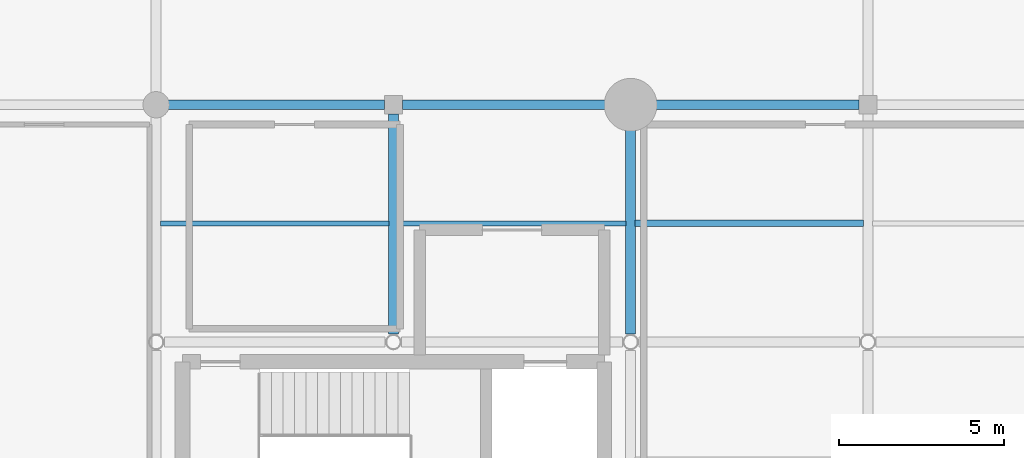
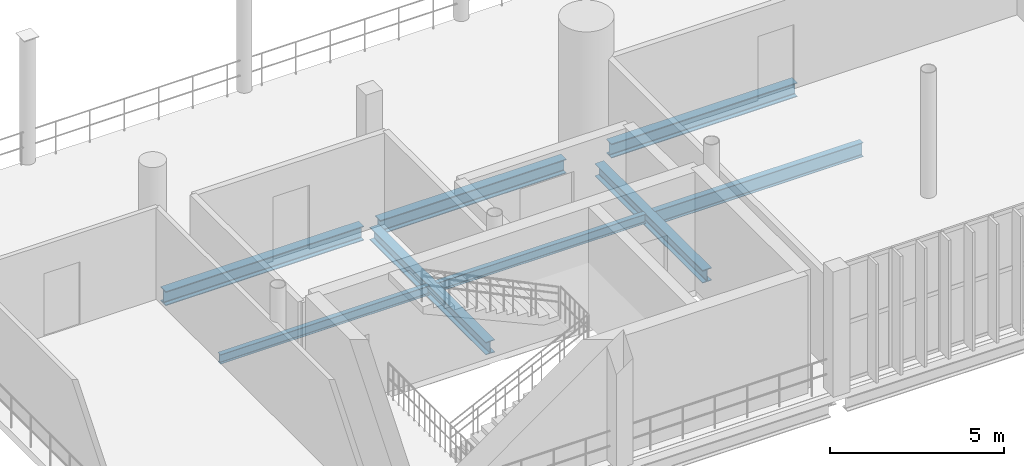
# One storey, part 18 of 81: 8 beams.
"""IFC4 building model written with IfcOpenShell, lengths in metres."""

import ifcopenshell
import ifcopenshell.guid

model = None  # the IFC model being written
_history = None  # IfcOwnerHistory: only IFC2X3 demands one
_inside = {}  # id of a spatial element -> (the spatial element, [elements in it])
_under = {}  # id of a project, library or spatial element -> (it, [spatial elements below it])
_declared = {}  # id of a project -> (the project, [libraries it declares])
_typed = {}  # id of a type object -> (the type object, [elements of that type])
_made_of = {}  # id of a material, layer set ... -> (it, [elements and type objects made of it])


def new_model(schema):
    """Start an empty IFC model of exactly this schema.

    Asked for "IFC4X3", IfcOpenShell would pick the latest addendum, in which some entities
    have other attributes; the version numbers below select the first issue.
    IFC2X3 requires an IfcOwnerHistory on every rooted entity: one is made here for all.
    """
    global model, _history
    if schema == "IFC4X3":
        model = ifcopenshell.file(schema_version=(4, 3, 0, 0))
    else:
        model = ifcopenshell.file(schema=schema)
    _inside.clear()
    _under.clear()
    _declared.clear()
    _typed.clear()
    _made_of.clear()
    _history = None
    if model.schema == "IFC2X3":
        org = make("IfcOrganization", Name="unknown")
        user = make(
            "IfcPersonAndOrganization",
            ThePerson=make("IfcPerson", FamilyName="unknown"),
            TheOrganization=org,
        )
        app = make(
            "IfcApplication",
            ApplicationDeveloper=org,
            Version="unknown",
            ApplicationFullName="unknown",
            ApplicationIdentifier="unknown",
        )
        _history = make(
            "IfcOwnerHistory",
            OwningUser=user,
            OwningApplication=app,
            ChangeAction="ADDED",
            CreationDate=0,
        )
    return model


def make(cls, **values):
    """One entity of the class cls with the attributes given. An attribute that is None is left unset."""
    return model.create_entity(
        cls, **{name: value for name, value in values.items() if value is not None}
    )


def rooted(cls, **values):
    """An entity with a GlobalId (a new one), such as an element, a storey or a relation."""
    return make(cls, GlobalId=ifcopenshell.guid.new(), OwnerHistory=_history, **values)


def si_unit(unit_type, name, prefix=None):
    """IfcSIUnit, for example si_unit("LENGTHUNIT", "METRE", prefix="MILLI")."""
    return make("IfcSIUnit", UnitType=unit_type, Prefix=prefix, Name=name)


def assignment(units):
    """IfcUnitAssignment: the units of a project."""
    return None if units is None else make("IfcUnitAssignment", Units=units)


def point(xyz):
    """IfcCartesianPoint."""
    return None if xyz is None else make("IfcCartesianPoint", Coordinates=xyz)


def direction(xyz):
    """IfcDirection."""
    return None if xyz is None else make("IfcDirection", DirectionRatios=xyz)


def frame(location, z_axis=None, x_axis=None):
    """IfcAxis2Placement3D, a coordinate frame: its origin and axes. An axis left out is left unset."""
    return make(
        "IfcAxis2Placement3D",
        Location=point(location),
        Axis=direction(z_axis),
        RefDirection=direction(x_axis),
    )


def frame_2d(location, x_axis=None):
    """IfcAxis2Placement2D, a coordinate frame in the plane: its origin and x axis."""
    return make(
        "IfcAxis2Placement2D", Location=point(location), RefDirection=direction(x_axis)
    )


def origin():
    """The frame at (0, 0, 0) with its axes left unset."""
    return frame((0.0, 0.0, 0.0))


def origin_2d():
    """The frame at (0, 0) in the plane with its x axis left unset."""
    return frame_2d((0.0, 0.0))


def place(relative_to, where):
    """IfcLocalPlacement: puts the frame where relative to a parent placement (None: the world)."""
    return make(
        "IfcLocalPlacement", PlacementRelTo=relative_to, RelativePlacement=where
    )


def context(
    kind, dimensions, precision=None, world=None, true_north=None, identifier=None
):
    """IfcGeometricRepresentationContext, for example the 3D "Model" context."""
    return make(
        "IfcGeometricRepresentationContext",
        ContextIdentifier=identifier,
        ContextType=kind,
        CoordinateSpaceDimension=dimensions,
        Precision=precision,
        WorldCoordinateSystem=world,
        TrueNorth=true_north,
    )


def subcontext(parent, identifier, kind, view, scale=None):
    """IfcGeometricRepresentationSubContext, for example "Body" below "Model"."""
    return make(
        "IfcGeometricRepresentationSubContext",
        ContextIdentifier=identifier,
        ContextType=kind,
        ParentContext=parent,
        TargetScale=scale,
        TargetView=view,
    )


def project(units=None, contexts=None):
    """IfcProject with its units and contexts."""
    return rooted(
        "IfcProject",
        Name="project",
        RepresentationContexts=contexts,
        UnitsInContext=assignment(units),
    )


def spatial(cls, under=None, at=None, **own):
    """A site, building, storey or space (cls), placed at a placement, below another one or the project."""
    s = rooted(cls, ObjectPlacement=at, **own)
    if under is not None:
        _under.setdefault(under.id(), (under, []))[1].append(s)
    return s


def profile(cls, at=None, kind="AREA", **sizes):
    """A parametric profile (cls). Its sizes go by their IFC names, for example OverallWidth=200.0."""
    return make(cls, ProfileType=kind, Position=at, **sizes)


def i_section(**sizes):
    """IfcIShapeProfileDef."""
    return profile("IfcIShapeProfileDef", **sizes)


def extrude(swept, where, along, depth):
    """IfcExtrudedAreaSolid: the profile swept, set in the frame where, extruded along a direction by depth."""
    return make(
        "IfcExtrudedAreaSolid",
        SweptArea=swept,
        Position=where,
        ExtrudedDirection=direction(along),
        Depth=depth,
    )


def shape(context_of_items, identifier, shape_type, items):
    """IfcShapeRepresentation: the items that make up one representation, for example the "Body"."""
    return make(
        "IfcShapeRepresentation",
        ContextOfItems=context_of_items,
        RepresentationIdentifier=identifier,
        RepresentationType=shape_type,
        Items=items,
    )


def material(Name=None, Category=None):
    """IfcMaterial."""
    return make("IfcMaterial", Name=Name, Category=Category)


def material_profile(
    of_material, cross_section, Name=None, Category=None, Priority=None
):
    """IfcMaterialProfile: a cross section and its material."""
    return make(
        "IfcMaterialProfile",
        Name=Name,
        Material=of_material,
        Profile=cross_section,
        Priority=Priority,
        Category=Category,
    )


def profile_set(profiles, Name=None, composite=None):
    """IfcMaterialProfileSet."""
    return make(
        "IfcMaterialProfileSet",
        Name=Name,
        MaterialProfiles=profiles,
        CompositeProfile=composite,
    )


def made_of(thing, what):
    """Note that an element or type object is made of a material, layer set ...; save() writes the relation."""
    if what is not None:
        _made_of.setdefault(what.id(), (what, []))[1].append(thing)
    return thing


def type_object(cls, material=None, **own):
    """A type object (cls), such as IfcWallType, which elements share."""
    return made_of(rooted(cls, **own), material)


def element(
    cls,
    number,
    at=None,
    inside=None,
    cuts=None,
    type_object=None,
    material=None,
    context=None,
    identifier="Body",
    shape_type=None,
    held_by="IfcProductDefinitionShape",
    body=None,
    shapes=None,
    **own,
):
    """One element of the class cls, such as IfcWall. Its Tag is "e" and its number.

    at: its placement. inside: the storey or other place that contains it. cuts: it is an
    opening in that element (IfcRelVoidsElement). A single representation is given by context,
    identifier, shape_type and body (its items); several are given by shapes. held_by: the class
    of the entity that holds the representations. save() writes the other relations.
    """
    e = rooted(cls, Tag="e%d" % number, ObjectPlacement=at, **own)
    if body is not None:
        shapes = [shape(context, identifier, shape_type, body)]
    if shapes is not None:
        e.Representation = make(held_by, Representations=shapes)
    if inside is not None:
        _inside.setdefault(inside.id(), (inside, []))[1].append(e)
    if cuts is not None:
        rooted(
            "IfcRelVoidsElement", RelatingBuildingElement=cuts, RelatedOpeningElement=e
        )
    if type_object is not None:
        _typed.setdefault(type_object.id(), (type_object, []))[1].append(e)
    return made_of(e, material)


def aggregate(whole, parts):
    """IfcRelAggregates: a whole, such as a stair, and the parts it consists of."""
    return rooted("IfcRelAggregates", RelatingObject=whole, RelatedObjects=parts)


def save(model, path):
    """Write the relations noted so far, then the file.

    IfcRelAggregates (storeys below a building ...), IfcRelContainedInSpatialStructure (elements
    in a storey), IfcRelDefinesByType, IfcRelAssociatesMaterial and IfcRelDeclares: one each for
    every whole, place, type object, material and project.
    """
    for whole, parts in _under.values():
        aggregate(whole, parts)
    for where, things in _inside.values():
        rooted(
            "IfcRelContainedInSpatialStructure",
            RelatedElements=things,
            RelatingStructure=where,
        )
    for kind, things in _typed.values():
        rooted("IfcRelDefinesByType", RelatedObjects=things, RelatingType=kind)
    for what, things in _made_of.values():
        rooted("IfcRelAssociatesMaterial", RelatedObjects=things, RelatingMaterial=what)
    for by, libraries in _declared.values():
        rooted("IfcRelDeclares", RelatingContext=by, RelatedDefinitions=libraries)
    model.write(path)


model = new_model("IFC4")

# Units and contexts
model_context = context("Model", 3, precision=1e-05, world=origin(), true_north=direction((0.0, 1.0)))
body_context = subcontext(model_context, "Body", "Model", "MODEL_VIEW")
ifc_project = project(units=[si_unit("LENGTHUNIT", "METRE"), si_unit("AREAUNIT", "SQUARE_METRE"), si_unit("VOLUMEUNIT", "CUBIC_METRE"), si_unit("PLANEANGLEUNIT", "RADIAN"), si_unit("MASSUNIT", "GRAM", prefix="KILO")], contexts=[model_context])

# Site, building, storey
site_placement = place(None, origin())
site = spatial("IfcSite", under=ifc_project, at=site_placement, CompositionType="ELEMENT")
building_placement = place(site_placement, origin())
building = spatial("IfcBuilding", under=site, at=building_placement, Name="Qandorah Velis Arena", CompositionType="ELEMENT")
storey_placement = place(building_placement, frame((0.0, 0.0, 18.60009765625)))
storey = spatial("IfcBuildingStorey", under=building, at=storey_placement, Name="L04", CompositionType="ELEMENT", Elevation=18.60009765625)

# Beams
ifc_material = material(Name="Steel S355", Category="steel")
ifc_material_profile_1 = material_profile(ifc_material, i_section(OverallWidth=0.300048828125, OverallDepth=0.449951171875, WebThickness=0.013916015625, FlangeThickness=0.02587890625, FilletRadius=0.027099609375, at=origin_2d()), Name="HEB 450")
ifc_profile_set_1 = profile_set([ifc_material_profile_1], Name="Steel S355")
beam_type_1 = type_object("IfcBeamType", Name="STR-BM-HEB450", PredefinedType="BEAM", material=ifc_profile_set_1)
beam_1_placement = place(storey_placement, frame((36.0, 7.449951171875, -0.4951171875), z_axis=(0.0, 1.0, 0.0), x_axis=(-1.0, 0.0, 0.0)))
element("IfcBeam", 1, at=beam_1_placement, inside=storey, type_object=beam_type_1, Name="Primary floor girder L04 Y-202", PredefinedType="BEAM", context=body_context, shape_type="SweptSolid", body=[
    extrude(i_section(OverallWidth=0.300048828125, OverallDepth=0.449951171875, WebThickness=0.013916015625, FlangeThickness=0.02587890625, FilletRadius=0.027099609375, at=origin_2d()), origin(), (0.0, 0.0, 1.0), 6.675048828125),
])
beam_2_placement = place(storey_placement, frame((43.199951171875, 7.449951171875, -0.4951171875), z_axis=(0.0, 1.0, 0.0), x_axis=(-1.0, 0.0, 0.0)))
element("IfcBeam", 2, at=beam_2_placement, inside=storey, type_object=beam_type_1, Name="Primary floor girder L04 Y-205", PredefinedType="BEAM", context=body_context, shape_type="SweptSolid", body=[
    extrude(i_section(OverallWidth=0.300048828125, OverallDepth=0.449951171875, WebThickness=0.013916015625, FlangeThickness=0.02587890625, FilletRadius=0.027099609375, at=origin_2d()), origin(), (0.0, 0.0, 1.0), 6.199951171875),
])
ifc_material_profile_2 = material_profile(ifc_material, i_section(OverallWidth=0.300048828125, OverallDepth=0.5, WebThickness=0.014404296875, FlangeThickness=0.028076171875, FilletRadius=0.027099609375, at=origin_2d()), Name="HEB 500")
ifc_profile_set_2 = profile_set([ifc_material_profile_2], Name="Steel S355")
beam_type_2 = type_object("IfcBeamType", Name="STR-BM-HEB500", PredefinedType="BEAM", material=ifc_profile_set_2)
beam_3_placement = place(storey_placement, frame((29.14990234375, 14.39990234375, -0.52001953125), z_axis=(1.0, 0.0, 0.0), x_axis=(0.0, 1.0, 0.0)))
element("IfcBeam", 3, at=beam_3_placement, inside=storey, type_object=beam_type_2, Name="Primary floor girder L04 X-026", PredefinedType="BEAM", context=body_context, shape_type="SweptSolid", body=[
    extrude(i_section(OverallWidth=0.300048828125, OverallDepth=0.5, WebThickness=0.014404296875, FlangeThickness=0.028076171875, FilletRadius=0.027099609375, at=origin_2d()), origin(), (0.0, 0.0, 1.0), 6.5751953125),
])
for number, where, z_axis, x_axis, name in (
    (4, (36.27490234375, 14.39990234375, -0.52001953125), (1.0, 0.0, 0.0), (0.0, 1.0, 0.0), "Primary floor girder L04 X-027"),
    (5, (43.949951171875, 14.39990234375, -0.52001953125), (1.0, 0.0, 0.0), (0.0, 1.0, 0.0), "Primary floor girder L04 X-028"),
):
    element("IfcBeam", number, at=place(storey_placement, frame(where, z_axis=z_axis, x_axis=x_axis)), inside=storey, type_object=beam_type_2, Name=name, PredefinedType="BEAM", context=body_context, shape_type="SweptSolid", body=[
        extrude(i_section(OverallWidth=0.300048828125, OverallDepth=0.5, WebThickness=0.014404296875, FlangeThickness=0.028076171875, FilletRadius=0.027099609375, at=origin_2d()), origin(), (0.0, 0.0, 1.0), 6.175048828125),
    ])
ifc_material_profile_3 = material_profile(ifc_material, i_section(OverallWidth=0.159912109375, OverallDepth=0.330078125, WebThickness=0.007568359375, FlangeThickness=0.011474609375, FilletRadius=0.01806640625, at=origin_2d()), Name="IPE 330")
ifc_profile_set_3 = profile_set([ifc_material_profile_3], Name="Steel S355")
beam_type_3 = type_object("IfcBeamType", Name="STR-JST-IPE330", PredefinedType="JOIST", material=ifc_profile_set_3)
for number, where, z_axis, x_axis, name in (
    (6, (28.93505859375, 10.800048828125, -0.43505859375), (1.0, 0.0, 0.0), (0.0, 1.0, 0.0), "Secondary floor joist L04-033"),
    (7, (36.135009765625, 10.800048828125, -0.43505859375), (1.0, 0.0, 0.0), (0.0, 1.0, 0.0), "Secondary floor joist L04-035"),
):
    element("IfcBeam", number, at=place(storey_placement, frame(where, z_axis=z_axis, x_axis=x_axis)), inside=storey, type_object=beam_type_3, Name=name, PredefinedType="JOIST", context=body_context, shape_type="SweptSolid", body=[
        extrude(i_section(OverallWidth=0.159912109375, OverallDepth=0.330078125, WebThickness=0.007568359375, FlangeThickness=0.011474609375, FilletRadius=0.01806640625, at=origin_2d()), origin(), (0.0, 0.0, 1.0), 6.929931640625),
    ])
ifc_material_profile_4 = material_profile(ifc_material, i_section(OverallWidth=0.199951171875, OverallDepth=0.5, WebThickness=0.01025390625, FlangeThickness=0.01611328125, FilletRadius=0.02099609375, at=origin_2d()), Name="IPE 500")
ifc_profile_set_4 = profile_set([ifc_material_profile_4], Name="Steel S355")
beam_type_4 = type_object("IfcBeamType", Name="STR-JST-IPE500", PredefinedType="JOIST", material=ifc_profile_set_4)
beam_4_placement = place(storey_placement, frame((43.3349609375, 10.800048828125, -0.52001953125), z_axis=(1.0, 0.0, 0.0), x_axis=(0.0, 1.0, 0.0)))
element("IfcBeam", 8, at=beam_4_placement, inside=storey, type_object=beam_type_4, Name="Secondary floor joist L04-038", PredefinedType="JOIST", context=body_context, shape_type="SweptSolid", body=[
    extrude(i_section(OverallWidth=0.199951171875, OverallDepth=0.5, WebThickness=0.01025390625, FlangeThickness=0.01611328125, FilletRadius=0.02099609375, at=origin_2d()), origin(), (0.0, 0.0, 1.0), 6.929931640625),
])

save(model, "model.ifc")
